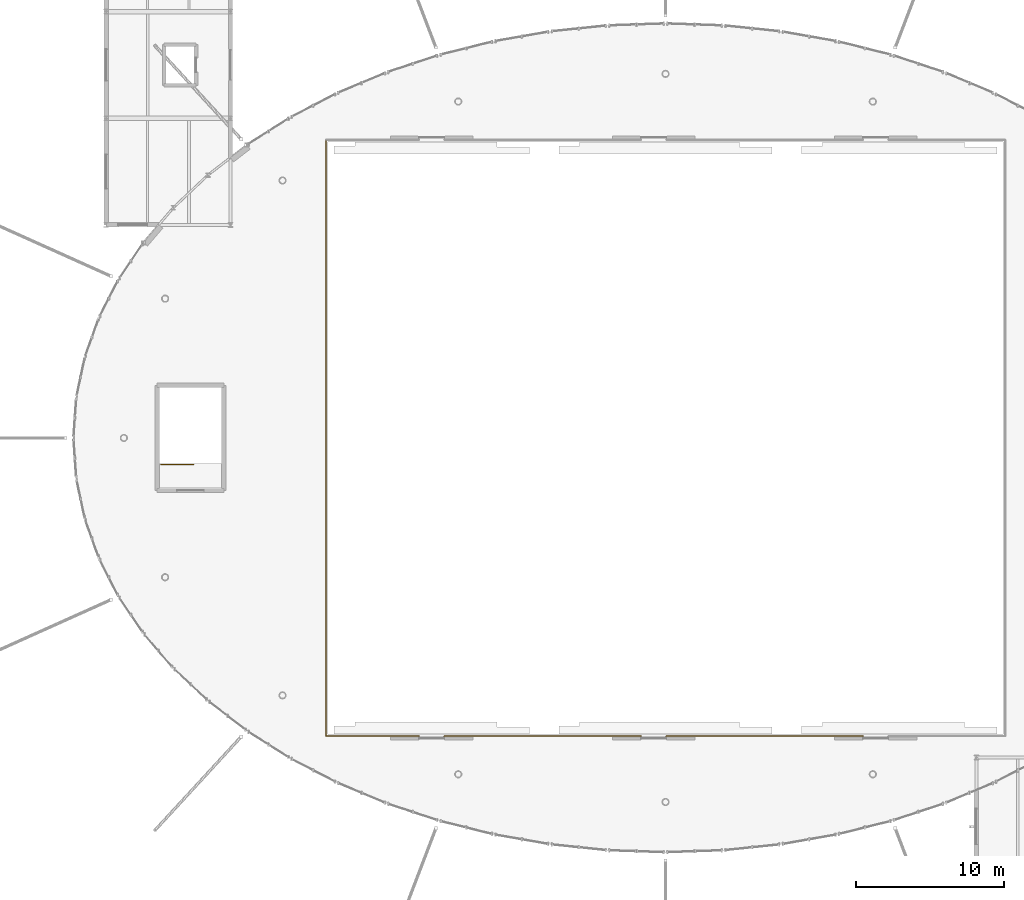
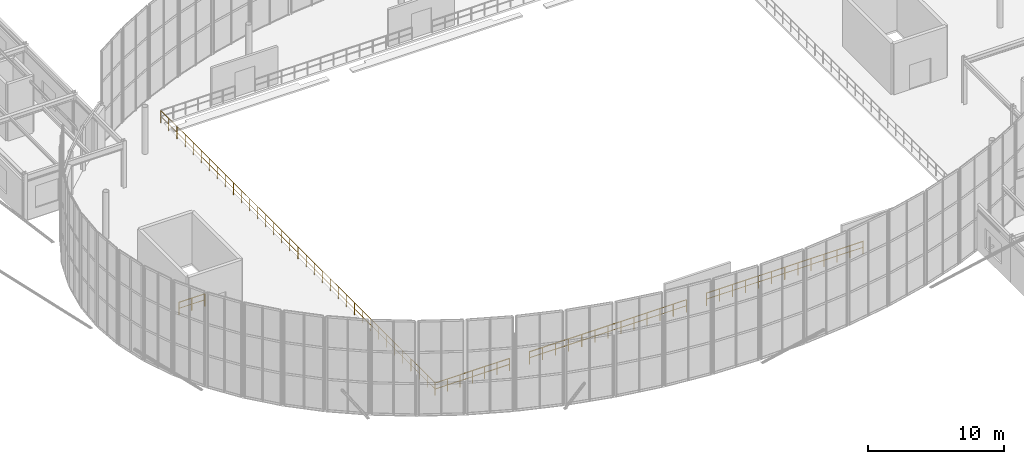
# One storey, part 78 of 109: 5 railings.
"""IFC4 building model written with IfcOpenShell, lengths in metres."""

from ifc_helpers import new_model, si_unit, derived_unit, direction, frame, origin, origin_2d, place, context, subcontext, project, spatial, circle, extrude, material, type_object, element, save


model = new_model("IFC4")

# Units and contexts
model_context = context("Model", 3, precision=1e-05, world=origin(), true_north=direction((0.0, 1.0)))
body_context = subcontext(model_context, "Body", "Model", "MODEL_VIEW")
ifc_project = project(units=[si_unit("LENGTHUNIT", "METRE"), si_unit("AREAUNIT", "SQUARE_METRE"), si_unit("VOLUMEUNIT", "CUBIC_METRE"), si_unit("PLANEANGLEUNIT", "RADIAN"), si_unit("MASSUNIT", "GRAM", prefix="KILO"), derived_unit("THERMALTRANSMITTANCEUNIT", [(si_unit("MASSUNIT", "GRAM", prefix="KILO"), 1), (si_unit("TIMEUNIT", "SECOND"), -3), (si_unit("THERMODYNAMICTEMPERATUREUNIT", "KELVIN"), -1)])], contexts=[model_context])

# Site, building, storey
site_placement = place(None, origin())
site = spatial("IfcSite", under=ifc_project, at=site_placement, CompositionType="ELEMENT")
building_placement = place(site_placement, origin())
building = spatial("IfcBuilding", under=site, at=building_placement, Name="Kharveza Railside Sports Centre", CompositionType="ELEMENT")
storey_placement = place(building_placement, frame((0.0, 0.0, 4.5)))
storey = spatial("IfcBuildingStorey", under=building, at=storey_placement, Name="L01", CompositionType="ELEMENT", Elevation=4.5)

# Railings
ifc_material = material(Name="Steel S275JR", Category="steel")
railing_type = type_object("IfcRailingType", Name="RL-GD110", PredefinedType="GUARDRAIL", material=ifc_material)
railing_1_placement = place(storey_placement, frame((20.5, 48.60009765625, 0.0)))
element("IfcRailing", 1, at=railing_1_placement, inside=storey, type_object=railing_type, Name="RL-STTOP-ST7-L01", PredefinedType="GUARDRAIL", context=body_context, shape_type="SweptSolid", body=[
    extrude(circle(Radius=0.02392578125, at=origin_2d()), frame((0.0, 0.0, 1.09619140625), z_axis=(1.0, 0.0, 0.0), x_axis=(0.0, 1.0, 0.0)), (0.0, 0.0, 1.0), 2.199951171875),
    extrude(circle(Radius=0.01611328125, at=origin_2d()), frame((0.0, 0.0, 0.56005859375), z_axis=(1.0, 0.0, 0.0), x_axis=(0.0, 1.0, 0.0)), (0.0, 0.0, 1.0), 2.199951171875),
    extrude(circle(Radius=0.02099609375, at=origin_2d()), origin(), (0.0, 0.0, 1.0), 1.072021484375),
    extrude(circle(Radius=0.02099609375, at=origin_2d()), frame((1.10009765625, 0.0, 0.0)), (0.0, 0.0, 1.0), 1.072021484375),
    extrude(circle(Radius=0.02099609375, at=origin_2d()), frame((2.199951171875, 0.0, 0.0)), (0.0, 0.0, 1.0), 1.072021484375),
])
railing_2_placement = place(storey_placement, frame((31.64990234375, 30.25, 0.0)))
element("IfcRailing", 2, at=railing_2_placement, inside=storey, type_object=railing_type, Name="RL-BOWL-RS-1", PredefinedType="GUARDRAIL", context=body_context, shape_type="SweptSolid", body=[
    extrude(circle(Radius=0.02392578125, at=origin_2d()), frame((0.0, 0.0, 1.09619140625), z_axis=(1.0, 0.0, 0.0), x_axis=(0.0, 1.0, 0.0)), (0.0, 0.0, 1.0), 6.300048828125),
    extrude(circle(Radius=0.01611328125, at=origin_2d()), frame((0.0, 0.0, 0.56005859375), z_axis=(1.0, 0.0, 0.0), x_axis=(0.0, 1.0, 0.0)), (0.0, 0.0, 1.0), 6.300048828125),
    extrude(circle(Radius=0.02099609375, at=origin_2d()), origin(), (0.0, 0.0, 1.0), 1.072021484375),
    extrude(circle(Radius=0.02099609375, at=origin_2d()), frame((1.050048828125, 0.0, 0.0)), (0.0, 0.0, 1.0), 1.072021484375),
    extrude(circle(Radius=0.02099609375, at=origin_2d()), frame((2.10009765625, 0.0, 0.0)), (0.0, 0.0, 1.0), 1.072021484375),
    extrude(circle(Radius=0.02099609375, at=origin_2d()), frame((3.14990234375, 0.0, 0.0)), (0.0, 0.0, 1.0), 1.072021484375),
    extrude(circle(Radius=0.02099609375, at=origin_2d()), frame((4.199951171875, 0.0, 0.0)), (0.0, 0.0, 1.0), 1.072021484375),
    extrude(circle(Radius=0.02099609375, at=origin_2d()), frame((5.25, 0.0, 0.0)), (0.0, 0.0, 1.0), 1.072021484375),
    extrude(circle(Radius=0.02099609375, at=origin_2d()), frame((6.300048828125, 0.0, 0.0)), (0.0, 0.0, 1.0), 1.072021484375),
])
railing_3_placement = place(storey_placement, frame((39.64990234375, 30.25, 0.0)))
element("IfcRailing", 3, at=railing_3_placement, inside=storey, type_object=railing_type, Name="RL-BOWL-RS-2", PredefinedType="GUARDRAIL", context=body_context, shape_type="SweptSolid", body=[
    extrude(circle(Radius=0.02392578125, at=origin_2d()), frame((0.0, 0.0, 1.09619140625), z_axis=(1.0, 0.0, 0.0), x_axis=(0.0, 1.0, 0.0)), (0.0, 0.0, 1.0), 13.300048828125),
    extrude(circle(Radius=0.01611328125, at=origin_2d()), frame((0.0, 0.0, 0.56005859375), z_axis=(1.0, 0.0, 0.0), x_axis=(0.0, 1.0, 0.0)), (0.0, 0.0, 1.0), 13.300048828125),
    extrude(circle(Radius=0.02099609375, at=origin_2d()), origin(), (0.0, 0.0, 1.0), 1.072021484375),
    extrude(circle(Radius=0.02099609375, at=origin_2d()), frame((1.1083984375, 0.0, 0.0)), (0.0, 0.0, 1.0), 1.072021484375),
    extrude(circle(Radius=0.02099609375, at=origin_2d()), frame((2.216796875, 0.0, 0.0)), (0.0, 0.0, 1.0), 1.072021484375),
    extrude(circle(Radius=0.02099609375, at=origin_2d()), frame((3.324951171875, 0.0, 0.0)), (0.0, 0.0, 1.0), 1.072021484375),
    extrude(circle(Radius=0.02099609375, at=origin_2d()), frame((4.433349609375, 0.0, 0.0)), (0.0, 0.0, 1.0), 1.072021484375),
    extrude(circle(Radius=0.02099609375, at=origin_2d()), frame((5.541748046875, 0.0, 0.0)), (0.0, 0.0, 1.0), 1.072021484375),
    extrude(circle(Radius=0.02099609375, at=origin_2d()), frame((6.64990234375, 0.0, 0.0)), (0.0, 0.0, 1.0), 1.072021484375),
    extrude(circle(Radius=0.02099609375, at=origin_2d()), frame((7.75830078125, 0.0, 0.0)), (0.0, 0.0, 1.0), 1.072021484375),
    extrude(circle(Radius=0.02099609375, at=origin_2d()), frame((8.86669921875, 0.0, 0.0)), (0.0, 0.0, 1.0), 1.072021484375),
    extrude(circle(Radius=0.02099609375, at=origin_2d()), frame((9.97509765625, 0.0, 0.0)), (0.0, 0.0, 1.0), 1.072021484375),
    extrude(circle(Radius=0.02099609375, at=origin_2d()), frame((11.08349609375, 0.0, 0.0)), (0.0, 0.0, 1.0), 1.072021484375),
    extrude(circle(Radius=0.02099609375, at=origin_2d()), frame((12.191650390625, 0.0, 0.0)), (0.0, 0.0, 1.0), 1.072021484375),
    extrude(circle(Radius=0.02099609375, at=origin_2d()), frame((13.300048828125, 0.0, 0.0)), (0.0, 0.0, 1.0), 1.072021484375),
])
railing_4_placement = place(storey_placement, frame((54.64990234375, 30.25, 0.0)))
element("IfcRailing", 4, at=railing_4_placement, inside=storey, type_object=railing_type, Name="RL-BOWL-RS-3", PredefinedType="GUARDRAIL", context=body_context, shape_type="SweptSolid", body=[
    extrude(circle(Radius=0.02392578125, at=origin_2d()), frame((0.0, 0.0, 1.09619140625), z_axis=(1.0, 0.0, 0.0), x_axis=(0.0, 1.0, 0.0)), (0.0, 0.0, 1.0), 13.300048828125),
    extrude(circle(Radius=0.01611328125, at=origin_2d()), frame((0.0, 0.0, 0.56005859375), z_axis=(1.0, 0.0, 0.0), x_axis=(0.0, 1.0, 0.0)), (0.0, 0.0, 1.0), 13.300048828125),
    extrude(circle(Radius=0.02099609375, at=origin_2d()), origin(), (0.0, 0.0, 1.0), 1.072021484375),
    extrude(circle(Radius=0.02099609375, at=origin_2d()), frame((1.1083984375, 0.0, 0.0)), (0.0, 0.0, 1.0), 1.072021484375),
    extrude(circle(Radius=0.02099609375, at=origin_2d()), frame((2.216796875, 0.0, 0.0)), (0.0, 0.0, 1.0), 1.072021484375),
    extrude(circle(Radius=0.02099609375, at=origin_2d()), frame((3.324951171875, 0.0, 0.0)), (0.0, 0.0, 1.0), 1.072021484375),
    extrude(circle(Radius=0.02099609375, at=origin_2d()), frame((4.433349609375, 0.0, 0.0)), (0.0, 0.0, 1.0), 1.072021484375),
    extrude(circle(Radius=0.02099609375, at=origin_2d()), frame((5.541748046875, 0.0, 0.0)), (0.0, 0.0, 1.0), 1.072021484375),
    extrude(circle(Radius=0.02099609375, at=origin_2d()), frame((6.64990234375, 0.0, 0.0)), (0.0, 0.0, 1.0), 1.072021484375),
    extrude(circle(Radius=0.02099609375, at=origin_2d()), frame((7.75830078125, 0.0, 0.0)), (0.0, 0.0, 1.0), 1.072021484375),
    extrude(circle(Radius=0.02099609375, at=origin_2d()), frame((8.86669921875, 0.0, 0.0)), (0.0, 0.0, 1.0), 1.072021484375),
    extrude(circle(Radius=0.02099609375, at=origin_2d()), frame((9.97509765625, 0.0, 0.0)), (0.0, 0.0, 1.0), 1.072021484375),
    extrude(circle(Radius=0.02099609375, at=origin_2d()), frame((11.08349609375, 0.0, 0.0)), (0.0, 0.0, 1.0), 1.072021484375),
    extrude(circle(Radius=0.02099609375, at=origin_2d()), frame((12.191650390625, 0.0, 0.0)), (0.0, 0.0, 1.0), 1.072021484375),
    extrude(circle(Radius=0.02099609375, at=origin_2d()), frame((13.300048828125, 0.0, 0.0)), (0.0, 0.0, 1.0), 1.072021484375),
])
railing_5_placement = place(storey_placement, frame((31.64990234375, 30.25, 0.0)))
element("IfcRailing", 5, at=railing_5_placement, inside=storey, type_object=railing_type, Name="RL-BOWL-EW-W", PredefinedType="GUARDRAIL", context=body_context, shape_type="SweptSolid", body=[
    extrude(circle(Radius=0.02392578125, at=origin_2d()), frame((0.0, 0.0, 1.09619140625), z_axis=(0.0, 1.0, 0.0), x_axis=(-1.0, 0.0, 0.0)), (0.0, 0.0, 1.0), 40.300048828125),
    extrude(circle(Radius=0.01611328125, at=origin_2d()), frame((0.0, 0.0, 0.56005859375), z_axis=(0.0, 1.0, 0.0), x_axis=(-1.0, 0.0, 0.0)), (0.0, 0.0, 1.0), 40.300048828125),
    extrude(circle(Radius=0.02099609375, at=origin_2d()), origin(), (0.0, 0.0, 1.0), 1.072021484375),
    extrude(circle(Radius=0.02099609375, at=origin_2d()), frame((0.0, 1.185302734375, 0.0)), (0.0, 0.0, 1.0), 1.072021484375),
    extrude(circle(Radius=0.02099609375, at=origin_2d()), frame((0.0, 2.37060546875, 0.0)), (0.0, 0.0, 1.0), 1.072021484375),
    extrude(circle(Radius=0.02099609375, at=origin_2d()), frame((0.0, 3.555908203125, 0.0)), (0.0, 0.0, 1.0), 1.072021484375),
    extrude(circle(Radius=0.02099609375, at=origin_2d()), frame((0.0, 4.7412109375, 0.0)), (0.0, 0.0, 1.0), 1.072021484375),
    extrude(circle(Radius=0.02099609375, at=origin_2d()), frame((0.0, 5.926513671875, 0.0)), (0.0, 0.0, 1.0), 1.072021484375),
    extrude(circle(Radius=0.02099609375, at=origin_2d()), frame((0.0, 7.11181640625, 0.0)), (0.0, 0.0, 1.0), 1.072021484375),
    extrude(circle(Radius=0.02099609375, at=origin_2d()), frame((0.0, 8.297119140625, 0.0)), (0.0, 0.0, 1.0), 1.072021484375),
    extrude(circle(Radius=0.02099609375, at=origin_2d()), frame((0.0, 9.482421875, 0.0)), (0.0, 0.0, 1.0), 1.072021484375),
    extrude(circle(Radius=0.02099609375, at=origin_2d()), frame((0.0, 10.667724609375, 0.0)), (0.0, 0.0, 1.0), 1.072021484375),
    extrude(circle(Radius=0.02099609375, at=origin_2d()), frame((0.0, 11.85302734375, 0.0)), (0.0, 0.0, 1.0), 1.072021484375),
    extrude(circle(Radius=0.02099609375, at=origin_2d()), frame((0.0, 13.038330078125, 0.0)), (0.0, 0.0, 1.0), 1.072021484375),
    extrude(circle(Radius=0.02099609375, at=origin_2d()), frame((0.0, 14.2236328125, 0.0)), (0.0, 0.0, 1.0), 1.072021484375),
    extrude(circle(Radius=0.02099609375, at=origin_2d()), frame((0.0, 15.408935546875, 0.0)), (0.0, 0.0, 1.0), 1.072021484375),
    extrude(circle(Radius=0.02099609375, at=origin_2d()), frame((0.0, 16.59423828125, 0.0)), (0.0, 0.0, 1.0), 1.072021484375),
    extrude(circle(Radius=0.02099609375, at=origin_2d()), frame((0.0, 17.779541015625, 0.0)), (0.0, 0.0, 1.0), 1.072021484375),
    extrude(circle(Radius=0.02099609375, at=origin_2d()), frame((0.0, 18.96484375, 0.0)), (0.0, 0.0, 1.0), 1.072021484375),
    extrude(circle(Radius=0.02099609375, at=origin_2d()), frame((0.0, 20.14990234375, 0.0)), (0.0, 0.0, 1.0), 1.072021484375),
    extrude(circle(Radius=0.02099609375, at=origin_2d()), frame((0.0, 21.335205078125, 0.0)), (0.0, 0.0, 1.0), 1.072021484375),
    extrude(circle(Radius=0.02099609375, at=origin_2d()), frame((0.0, 22.5205078125, 0.0)), (0.0, 0.0, 1.0), 1.072021484375),
    extrude(circle(Radius=0.02099609375, at=origin_2d()), frame((0.0, 23.705810546875, 0.0)), (0.0, 0.0, 1.0), 1.072021484375),
    extrude(circle(Radius=0.02099609375, at=origin_2d()), frame((0.0, 24.89111328125, 0.0)), (0.0, 0.0, 1.0), 1.072021484375),
    extrude(circle(Radius=0.02099609375, at=origin_2d()), frame((0.0, 26.076416015625, 0.0)), (0.0, 0.0, 1.0), 1.072021484375),
    extrude(circle(Radius=0.02099609375, at=origin_2d()), frame((0.0, 27.26171875, 0.0)), (0.0, 0.0, 1.0), 1.072021484375),
    extrude(circle(Radius=0.02099609375, at=origin_2d()), frame((0.0, 28.447021484375, 0.0)), (0.0, 0.0, 1.0), 1.072021484375),
    extrude(circle(Radius=0.02099609375, at=origin_2d()), frame((0.0, 29.63232421875, 0.0)), (0.0, 0.0, 1.0), 1.072021484375),
    extrude(circle(Radius=0.02099609375, at=origin_2d()), frame((0.0, 30.817626953125, 0.0)), (0.0, 0.0, 1.0), 1.072021484375),
    extrude(circle(Radius=0.02099609375, at=origin_2d()), frame((0.0, 32.0029296875, 0.0)), (0.0, 0.0, 1.0), 1.072021484375),
    extrude(circle(Radius=0.02099609375, at=origin_2d()), frame((0.0, 33.188232421875, 0.0)), (0.0, 0.0, 1.0), 1.072021484375),
    extrude(circle(Radius=0.02099609375, at=origin_2d()), frame((0.0, 34.37353515625, 0.0)), (0.0, 0.0, 1.0), 1.072021484375),
    extrude(circle(Radius=0.02099609375, at=origin_2d()), frame((0.0, 35.558837890625, 0.0)), (0.0, 0.0, 1.0), 1.072021484375),
    extrude(circle(Radius=0.02099609375, at=origin_2d()), frame((0.0, 36.744140625, 0.0)), (0.0, 0.0, 1.0), 1.072021484375),
    extrude(circle(Radius=0.02099609375, at=origin_2d()), frame((0.0, 37.929443359375, 0.0)), (0.0, 0.0, 1.0), 1.072021484375),
    extrude(circle(Radius=0.02099609375, at=origin_2d()), frame((0.0, 39.11474609375, 0.0)), (0.0, 0.0, 1.0), 1.072021484375),
    extrude(circle(Radius=0.02099609375, at=origin_2d()), frame((0.0, 40.300048828125, 0.0)), (0.0, 0.0, 1.0), 1.072021484375),
])

save(model, "model.ifc")
